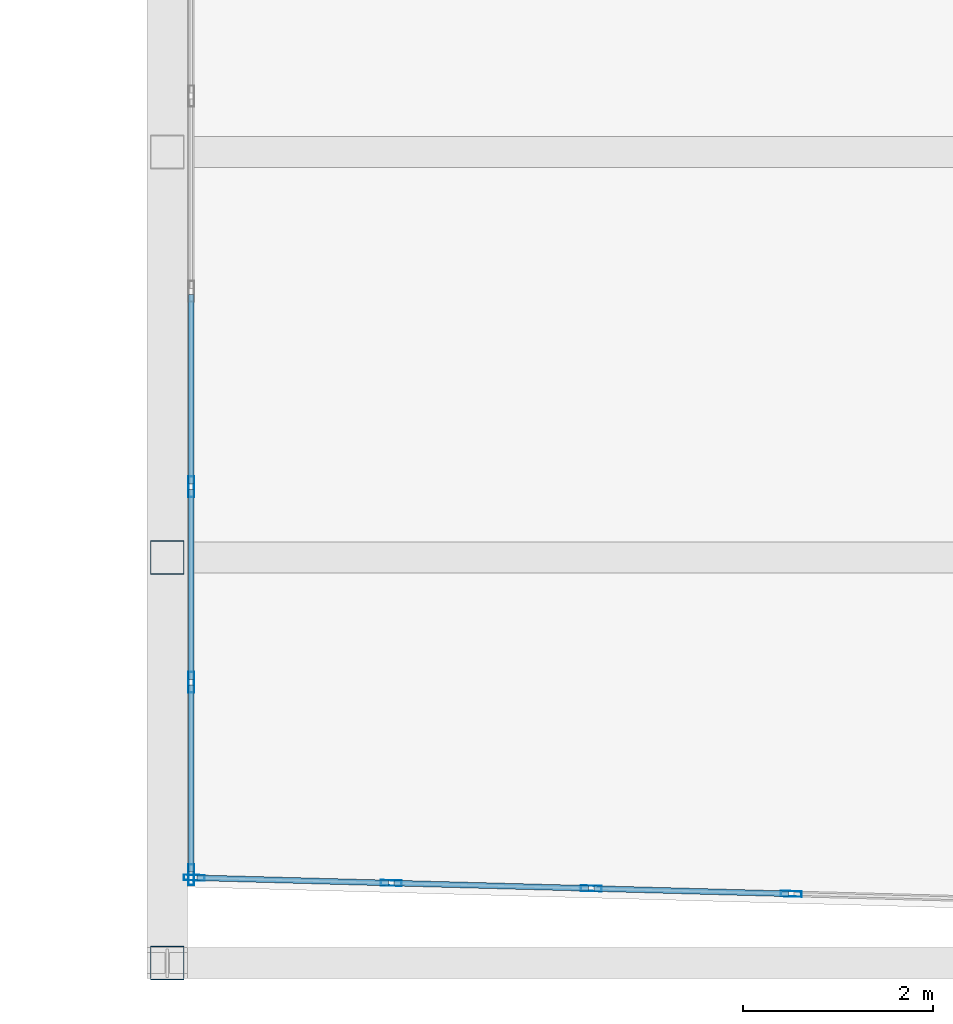
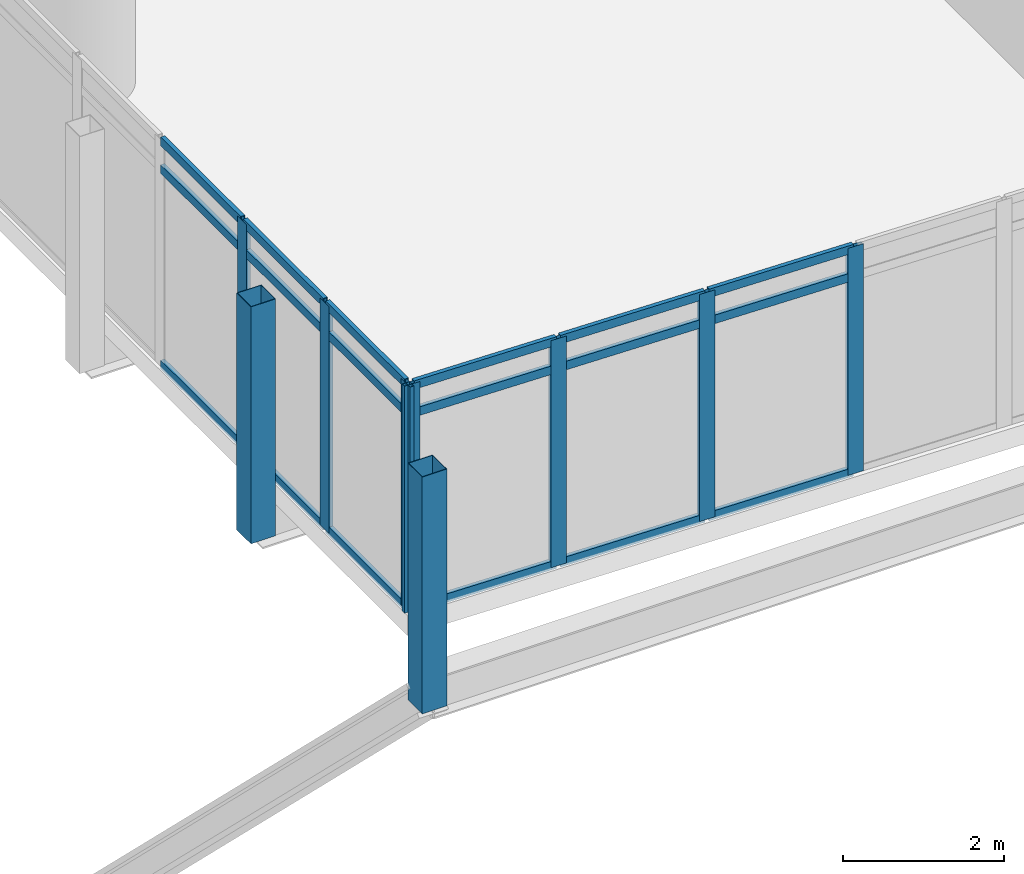
# One storey, part 2 of 38: 27 members, 2 elements without a shape of their own.
"""IFC4 building model written with IfcOpenShell, lengths in metres."""

from ifc_helpers import new_model, si_unit, direction, frame, origin, origin_2d, place, context, subcontext, project, spatial, hollow_rectangle, extrude, material, material_profile, profile_set, type_object, element, aggregate, save


model = new_model("IFC4")

# Units and contexts
model_context = context("Model", 3, precision=1e-05, world=origin(), true_north=direction((0.0, 1.0)))
body_context = subcontext(model_context, "Body", "Model", "MODEL_VIEW")
ifc_project = project(units=[si_unit("LENGTHUNIT", "METRE"), si_unit("AREAUNIT", "SQUARE_METRE"), si_unit("VOLUMEUNIT", "CUBIC_METRE"), si_unit("PLANEANGLEUNIT", "RADIAN"), si_unit("MASSUNIT", "GRAM", prefix="KILO")], contexts=[model_context])

# Site, building, storey
site_placement = place(None, origin())
site = spatial("IfcSite", under=ifc_project, at=site_placement, CompositionType="ELEMENT")
building_placement = place(site_placement, origin())
building = spatial("IfcBuilding", under=site, at=building_placement, Name="Ostrander Bayou Hotel Tower", CompositionType="ELEMENT")
storey_placement = place(building_placement, frame((0.0, 0.0, 65.5)))
storey = spatial("IfcBuildingStorey", under=building, at=storey_placement, Name="L16", CompositionType="ELEMENT", Elevation=65.5)

# Curtain wall, members
ifc_material_1 = material(Name="Aluminium and clear glass", Category="aluminium")
curtain_wall_type = type_object("IfcCurtainWallType", Name="CW-BAR glazed wall", PredefinedType="NOTDEFINED", material=ifc_material_1)
curtain_wall_1_placement = place(storey_placement, origin())
curtain_wall_1 = element("IfcCurtainWall", 1, at=curtain_wall_1_placement, inside=storey, type_object=curtain_wall_type, Name="CW-BAR L16:SB1S:E", PredefinedType="NOTDEFINED")
ifc_material_2 = material(Name="Aluminium", Category="aluminium")
ifc_material_profile_1 = material_profile(ifc_material_2, hollow_rectangle(XDim=0.06005859375, YDim=0.219970703125, WallThickness=0.00390625, at=origin_2d()))
ifc_profile_set_1 = profile_set([ifc_material_profile_1], Name="Aluminium")
member_type_1 = type_object("IfcMemberType", Name="CW-BR mullion 60 x 220 mm", PredefinedType="MULLION", material=ifc_profile_set_1)
member_1_placement = place(storey_placement, frame((-14.712158203125, -27.945068359375, 0.0), z_axis=(0.0, 0.0, 1.0), x_axis=(1.0, 0.0, 0.0)))
member_1 = element("IfcMember", 2, at=member_1_placement, type_object=member_type_1, Name="CW-BAR mullion 9", PredefinedType="MULLION", context=body_context, shape_type="SweptSolid", body=[
    extrude(hollow_rectangle(XDim=0.06005859375, YDim=0.219970703125, WallThickness=0.00390625, at=origin_2d()), origin(), (0.0, 0.0, 1.0), 3.449951171875),
])
member_2_placement = place(storey_placement, frame((-14.712158203125, -29.99853515625, 0.0), z_axis=(0.0, 0.0, 1.0), x_axis=(1.0, 0.0, 0.0)))
member_2 = element("IfcMember", 3, at=member_2_placement, type_object=member_type_1, Name="CW-BAR mullion 10", PredefinedType="MULLION", context=body_context, shape_type="SweptSolid", body=[
    extrude(hollow_rectangle(XDim=0.06005859375, YDim=0.219970703125, WallThickness=0.00390625, at=origin_2d()), origin(), (0.0, 0.0, 1.0), 3.449951171875),
])
member_3_placement = place(storey_placement, frame((-14.712158203125, -32.02197265625, 0.0), z_axis=(0.0, 0.0, 1.0), x_axis=(1.0, 0.0, 0.0)))
member_3 = element("IfcMember", 4, at=member_3_placement, type_object=member_type_1, Name="CW-BAR mullion 11", PredefinedType="MULLION", context=body_context, shape_type="SweptSolid", body=[
    extrude(hollow_rectangle(XDim=0.06005859375, YDim=0.219970703125, WallThickness=0.00390625, at=origin_2d()), origin(), (0.0, 0.0, 1.0), 3.449951171875),
])

curtain_wall_2_placement = place(storey_placement, origin())
curtain_wall_2 = element("IfcCurtainWall", 5, at=curtain_wall_2_placement, inside=storey, type_object=curtain_wall_type, Name="CW-BAR L16:SB1S:T", PredefinedType="NOTDEFINED")
member_4_placement = place(storey_placement, frame((-14.68212890625, -32.052734375, 0.0), z_axis=(0.0, 0.0, 1.0), x_axis=(0.027042484848, 0.999634285133, 0.0)))
member_4 = element("IfcMember", 6, at=member_4_placement, type_object=member_type_1, Name="CW-BAR mullion 1", PredefinedType="MULLION", context=body_context, shape_type="SweptSolid", body=[
    extrude(hollow_rectangle(XDim=0.06005859375, YDim=0.219970703125, WallThickness=0.00390625, at=origin_2d()), origin(), (0.0, 0.0, 1.0), 3.449951171875),
])
member_5_placement = place(storey_placement, frame((-12.6103515625, -32.10888671875, 0.0), z_axis=(0.0, 0.0, 1.0), x_axis=(0.027042484848, 0.999634285133, 0.0)))
member_5 = element("IfcMember", 7, at=member_5_placement, type_object=member_type_1, Name="CW-BAR mullion 2", PredefinedType="MULLION", context=body_context, shape_type="SweptSolid", body=[
    extrude(hollow_rectangle(XDim=0.06005859375, YDim=0.219970703125, WallThickness=0.00390625, at=origin_2d()), origin(), (0.0, 0.0, 1.0), 3.449951171875),
])
member_6_placement = place(storey_placement, frame((-10.5087890625, -32.165771484375, 0.0), z_axis=(0.0, 0.0, 1.0), x_axis=(0.027042484848, 0.999634285133, 0.0)))
member_6 = element("IfcMember", 8, at=member_6_placement, type_object=member_type_1, Name="CW-BAR mullion 3", PredefinedType="MULLION", context=body_context, shape_type="SweptSolid", body=[
    extrude(hollow_rectangle(XDim=0.06005859375, YDim=0.219970703125, WallThickness=0.00390625, at=origin_2d()), origin(), (0.0, 0.0, 1.0), 3.449951171875),
])
member_7_placement = place(storey_placement, frame((-8.406982421875, -32.22265625, 0.0), z_axis=(0.0, 0.0, 1.0), x_axis=(0.027042484848, 0.999634285133, 0.0)))
member_7 = element("IfcMember", 9, at=member_7_placement, type_object=member_type_1, Name="CW-BAR mullion 4", PredefinedType="MULLION", context=body_context, shape_type="SweptSolid", body=[
    extrude(hollow_rectangle(XDim=0.06005859375, YDim=0.219970703125, WallThickness=0.00390625, at=origin_2d()), origin(), (0.0, 0.0, 1.0), 3.449951171875),
])

# Member
ifc_material_3 = material(Name="Aluminium", Category="aluminium")
ifc_material_profile_2 = material_profile(ifc_material_3, hollow_rectangle(XDim=0.06005859375, YDim=0.1298828125, WallThickness=0.00390625, at=origin_2d()))
ifc_profile_set_2 = profile_set([ifc_material_profile_2], Name="Aluminium")
member_type_2 = type_object("IfcMemberType", Name="CW-BR transom 60 x 130 mm", PredefinedType="USERDEFINED", material=ifc_profile_set_2)
member_8_placement = place(storey_placement, frame((-14.712158203125, -25.921630859375, 0.030029296875), z_axis=(0.0, -1.0, 0.0), x_axis=(1.0, 0.0, 0.0)))
member_8 = element("IfcMember", 10, at=member_8_placement, type_object=member_type_2, Name="CW-BAR transom 8.1", ObjectType="TRANSOM", PredefinedType="USERDEFINED", context=body_context, shape_type="SweptSolid", body=[
    extrude(hollow_rectangle(XDim=0.06005859375, YDim=0.1298828125, WallThickness=0.00390625, at=origin_2d()), origin(), (0.0, 0.0, 1.0), 1.993408203125),
])

member_9_placement = place(storey_placement, frame((-14.712158203125, -25.921630859375, 3.0), z_axis=(0.0, -1.0, 0.0), x_axis=(1.0, 0.0, 0.0)))
member_9 = element("IfcMember", 11, at=member_9_placement, type_object=member_type_2, Name="CW-BAR transom 8.2", ObjectType="TRANSOM", PredefinedType="USERDEFINED", context=body_context, shape_type="SweptSolid", body=[
    extrude(hollow_rectangle(XDim=0.06005859375, YDim=0.1298828125, WallThickness=0.00390625, at=origin_2d()), origin(), (0.0, 0.0, 1.0), 1.993408203125),
])

member_10_placement = place(storey_placement, frame((-14.712158203125, -25.921630859375, 3.419921875), z_axis=(0.0, -1.0, 0.0), x_axis=(1.0, 0.0, 0.0)))
member_10 = element("IfcMember", 12, at=member_10_placement, type_object=member_type_2, Name="CW-BAR transom 8.3", ObjectType="TRANSOM", PredefinedType="USERDEFINED", context=body_context, shape_type="SweptSolid", body=[
    extrude(hollow_rectangle(XDim=0.06005859375, YDim=0.1298828125, WallThickness=0.00390625, at=origin_2d()), origin(), (0.0, 0.0, 1.0), 1.993408203125),
])

member_11_placement = place(storey_placement, frame((-14.712158203125, -27.97509765625, 0.030029296875), z_axis=(0.0, -1.0, 0.0), x_axis=(1.0, 0.0, 0.0)))
member_11 = element("IfcMember", 13, at=member_11_placement, type_object=member_type_2, Name="CW-BAR transom 9.1", ObjectType="TRANSOM", PredefinedType="USERDEFINED", context=body_context, shape_type="SweptSolid", body=[
    extrude(hollow_rectangle(XDim=0.06005859375, YDim=0.1298828125, WallThickness=0.00390625, at=origin_2d()), origin(), (0.0, 0.0, 1.0), 1.993408203125),
])

member_12_placement = place(storey_placement, frame((-14.712158203125, -27.97509765625, 3.0), z_axis=(0.0, -1.0, 0.0), x_axis=(1.0, 0.0, 0.0)))
member_12 = element("IfcMember", 14, at=member_12_placement, type_object=member_type_2, Name="CW-BAR transom 9.2", ObjectType="TRANSOM", PredefinedType="USERDEFINED", context=body_context, shape_type="SweptSolid", body=[
    extrude(hollow_rectangle(XDim=0.06005859375, YDim=0.1298828125, WallThickness=0.00390625, at=origin_2d()), origin(), (0.0, 0.0, 1.0), 1.993408203125),
])

member_13_placement = place(storey_placement, frame((-14.712158203125, -27.97509765625, 3.419921875), z_axis=(0.0, -1.0, 0.0), x_axis=(1.0, 0.0, 0.0)))
member_13 = element("IfcMember", 15, at=member_13_placement, type_object=member_type_2, Name="CW-BAR transom 9.3", ObjectType="TRANSOM", PredefinedType="USERDEFINED", context=body_context, shape_type="SweptSolid", body=[
    extrude(hollow_rectangle(XDim=0.06005859375, YDim=0.1298828125, WallThickness=0.00390625, at=origin_2d()), origin(), (0.0, 0.0, 1.0), 1.993408203125),
])

member_14_placement = place(storey_placement, frame((-14.712158203125, -30.028564453125, 0.030029296875), z_axis=(0.0, -1.0, 0.0), x_axis=(1.0, 0.0, 0.0)))
member_14 = element("IfcMember", 16, at=member_14_placement, type_object=member_type_2, Name="CW-BAR transom 10.1", ObjectType="TRANSOM", PredefinedType="USERDEFINED", context=body_context, shape_type="SweptSolid", body=[
    extrude(hollow_rectangle(XDim=0.06005859375, YDim=0.1298828125, WallThickness=0.00390625, at=origin_2d()), origin(), (0.0, 0.0, 1.0), 1.96337890625),
])

member_15_placement = place(storey_placement, frame((-14.712158203125, -30.028564453125, 3.0), z_axis=(0.0, -1.0, 0.0), x_axis=(1.0, 0.0, 0.0)))
member_15 = element("IfcMember", 17, at=member_15_placement, type_object=member_type_2, Name="CW-BAR transom 10.2", ObjectType="TRANSOM", PredefinedType="USERDEFINED", context=body_context, shape_type="SweptSolid", body=[
    extrude(hollow_rectangle(XDim=0.06005859375, YDim=0.1298828125, WallThickness=0.00390625, at=origin_2d()), origin(), (0.0, 0.0, 1.0), 1.96337890625),
])

member_16_placement = place(storey_placement, frame((-14.712158203125, -30.028564453125, 3.419921875), z_axis=(0.0, -1.0, 0.0), x_axis=(1.0, 0.0, 0.0)))
member_16 = element("IfcMember", 18, at=member_16_placement, type_object=member_type_2, Name="CW-BAR transom 10.3", ObjectType="TRANSOM", PredefinedType="USERDEFINED", context=body_context, shape_type="SweptSolid", body=[
    extrude(hollow_rectangle(XDim=0.06005859375, YDim=0.1298828125, WallThickness=0.00390625, at=origin_2d()), origin(), (0.0, 0.0, 1.0), 1.96337890625),
])

aggregate(curtain_wall_1, [member_1, member_2, member_3, member_8, member_9, member_10, member_11, member_12, member_13, member_14, member_15, member_16])

member_17_placement = place(storey_placement, frame((-14.65234375, -32.0537109375, 0.030029296875), z_axis=(0.999634083934, -0.027049921213, 0.0), x_axis=(0.027049921213, 0.999634083934, 0.0)))
member_17 = element("IfcMember", 19, at=member_17_placement, type_object=member_type_2, Name="CW-BAR transom 1.1", ObjectType="TRANSOM", PredefinedType="USERDEFINED", context=body_context, shape_type="SweptSolid", body=[
    extrude(hollow_rectangle(XDim=0.06005859375, YDim=0.1298828125, WallThickness=0.00390625, at=origin_2d()), origin(), (0.0, 0.0, 1.0), 2.0126953125),
])

member_18_placement = place(storey_placement, frame((-14.65234375, -32.0537109375, 3.0), z_axis=(0.999634083934, -0.027049921213, 0.0), x_axis=(0.027049921213, 0.999634083934, 0.0)))
member_18 = element("IfcMember", 20, at=member_18_placement, type_object=member_type_2, Name="CW-BAR transom 1.2", ObjectType="TRANSOM", PredefinedType="USERDEFINED", context=body_context, shape_type="SweptSolid", body=[
    extrude(hollow_rectangle(XDim=0.06005859375, YDim=0.1298828125, WallThickness=0.00390625, at=origin_2d()), origin(), (0.0, 0.0, 1.0), 2.0126953125),
])

member_19_placement = place(storey_placement, frame((-14.65234375, -32.0537109375, 3.419921875), z_axis=(0.999634083934, -0.027049921213, 0.0), x_axis=(0.027049921213, 0.999634083934, 0.0)))
member_19 = element("IfcMember", 21, at=member_19_placement, type_object=member_type_2, Name="CW-BAR transom 1.3", ObjectType="TRANSOM", PredefinedType="USERDEFINED", context=body_context, shape_type="SweptSolid", body=[
    extrude(hollow_rectangle(XDim=0.06005859375, YDim=0.1298828125, WallThickness=0.00390625, at=origin_2d()), origin(), (0.0, 0.0, 1.0), 2.0126953125),
])

member_20_placement = place(storey_placement, frame((-12.58056640625, -32.109619140625, 0.030029296875), z_axis=(0.999635057116, -0.027013933147, 0.0), x_axis=(0.027013933147, 0.999635057116, 0.0)))
member_20 = element("IfcMember", 22, at=member_20_placement, type_object=member_type_2, Name="CW-BAR transom 2.1", ObjectType="TRANSOM", PredefinedType="USERDEFINED", context=body_context, shape_type="SweptSolid", body=[
    extrude(hollow_rectangle(XDim=0.06005859375, YDim=0.1298828125, WallThickness=0.00390625, at=origin_2d()), origin(), (0.0, 0.0, 1.0), 2.04248046875),
])

member_21_placement = place(storey_placement, frame((-12.58056640625, -32.109619140625, 3.0), z_axis=(0.999635057116, -0.027013933147, 0.0), x_axis=(0.027013933147, 0.999635057116, 0.0)))
member_21 = element("IfcMember", 23, at=member_21_placement, type_object=member_type_2, Name="CW-BAR transom 2.2", ObjectType="TRANSOM", PredefinedType="USERDEFINED", context=body_context, shape_type="SweptSolid", body=[
    extrude(hollow_rectangle(XDim=0.06005859375, YDim=0.1298828125, WallThickness=0.00390625, at=origin_2d()), origin(), (0.0, 0.0, 1.0), 2.04248046875),
])

member_22_placement = place(storey_placement, frame((-12.58056640625, -32.109619140625, 3.419921875), z_axis=(0.999635057116, -0.027013933147, 0.0), x_axis=(0.027013933147, 0.999635057116, 0.0)))
member_22 = element("IfcMember", 24, at=member_22_placement, type_object=member_type_2, Name="CW-BAR transom 2.3", ObjectType="TRANSOM", PredefinedType="USERDEFINED", context=body_context, shape_type="SweptSolid", body=[
    extrude(hollow_rectangle(XDim=0.06005859375, YDim=0.1298828125, WallThickness=0.00390625, at=origin_2d()), origin(), (0.0, 0.0, 1.0), 2.04248046875),
])

member_23_placement = place(storey_placement, frame((-10.478759765625, -32.16650390625, 0.030029296875), z_axis=(0.999635057116, -0.027013933147, 0.0), x_axis=(0.027013933147, 0.999635057116, 0.0)))
member_23 = element("IfcMember", 25, at=member_23_placement, type_object=member_type_2, Name="CW-BAR transom 3.1", ObjectType="TRANSOM", PredefinedType="USERDEFINED", context=body_context, shape_type="SweptSolid", body=[
    extrude(hollow_rectangle(XDim=0.06005859375, YDim=0.1298828125, WallThickness=0.00390625, at=origin_2d()), origin(), (0.0, 0.0, 1.0), 2.04248046875),
])

member_24_placement = place(storey_placement, frame((-10.478759765625, -32.16650390625, 3.0), z_axis=(0.999635057116, -0.027013933147, 0.0), x_axis=(0.027013933147, 0.999635057116, 0.0)))
member_24 = element("IfcMember", 26, at=member_24_placement, type_object=member_type_2, Name="CW-BAR transom 3.2", ObjectType="TRANSOM", PredefinedType="USERDEFINED", context=body_context, shape_type="SweptSolid", body=[
    extrude(hollow_rectangle(XDim=0.06005859375, YDim=0.1298828125, WallThickness=0.00390625, at=origin_2d()), origin(), (0.0, 0.0, 1.0), 2.04248046875),
])

member_25_placement = place(storey_placement, frame((-10.478759765625, -32.16650390625, 3.419921875), z_axis=(0.999635057116, -0.027013933147, 0.0), x_axis=(0.027013933147, 0.999635057116, 0.0)))
member_25 = element("IfcMember", 27, at=member_25_placement, type_object=member_type_2, Name="CW-BAR transom 3.3", ObjectType="TRANSOM", PredefinedType="USERDEFINED", context=body_context, shape_type="SweptSolid", body=[
    extrude(hollow_rectangle(XDim=0.06005859375, YDim=0.1298828125, WallThickness=0.00390625, at=origin_2d()), origin(), (0.0, 0.0, 1.0), 2.04248046875),
])

aggregate(curtain_wall_2, [member_4, member_5, member_6, member_7, member_17, member_18, member_19, member_20, member_21, member_22, member_23, member_24, member_25])

# Members
ifc_material_4 = material(Name="Steel ASTM A500 Gr C", Category="steel")
ifc_material_profile_3 = material_profile(ifc_material_4, hollow_rectangle(XDim=0.355712890625, YDim=0.355712890625, WallThickness=0.0087890625, at=origin_2d()))
ifc_profile_set_3 = profile_set([ifc_material_profile_3], Name="Steel ASTM A500 Gr C")
member_type_3 = type_object("IfcMemberType", Name="TH3 bar hanger HSS14x14x3/8", PredefinedType="POST", material=ifc_profile_set_3)
for number, where, z_axis, x_axis, name in (
    (28, (-14.965087890625, -28.6875, -0.771728515625), (0.0, 0.0, 1.0), (1.0, 0.0, 0.0), "TH3 SB1SA H3-1"),
    (29, (-14.965087890625, -32.949951171875, -0.771728515625), (0.0, 0.0, 1.0), (1.0, 0.0, 0.0), "TH3 SB1SA H4-1"),
):
    element("IfcMember", number, at=place(storey_placement, frame(where, z_axis=z_axis, x_axis=x_axis)), inside=storey, type_object=member_type_3, Name=name, PredefinedType="POST", context=body_context, shape_type="SweptSolid", body=[
        extrude(hollow_rectangle(XDim=0.355712890625, YDim=0.355712890625, WallThickness=0.0087890625, at=origin_2d()), origin(), (0.0, 0.0, 1.0), 3.599853515625),
    ])

save(model, "model.ifc")
